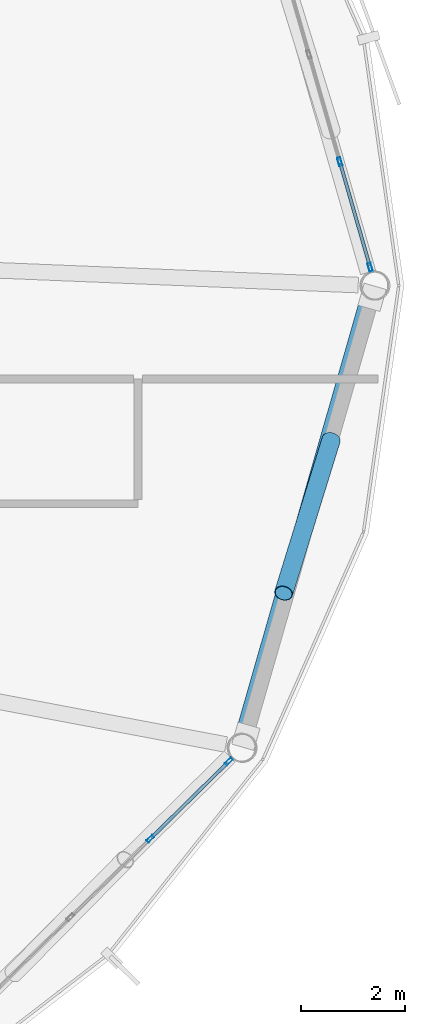
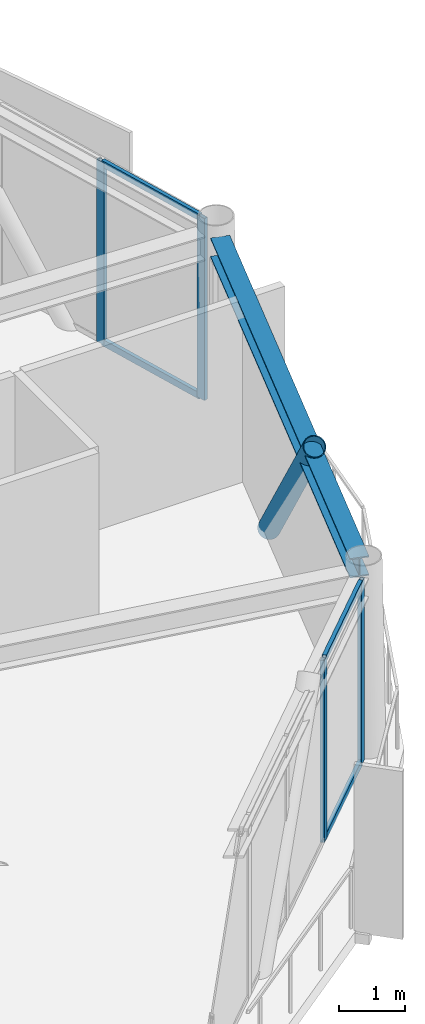
# One storey, part 16 of 27: 9 members, 1 beam, 2 elements without a shape of their own.
"""IFC4 building model written with IfcOpenShell, lengths in metres."""

from ifc_helpers import new_model, si_unit, direction, frame, origin, origin_2d, place, context, subcontext, project, spatial, hollow_rectangle, hollow_circle, i_section, extrude, material, layer, layer_set, material_profile, profile_set, type_object, element, aggregate, save


model = new_model("IFC4")

# Units and contexts
model_context = context("Model", 3, precision=1e-05, world=origin(), true_north=direction((0.0, 1.0)))
body_context = subcontext(model_context, "Body", "Model", "MODEL_VIEW")
ifc_project = project(units=[si_unit("LENGTHUNIT", "METRE"), si_unit("AREAUNIT", "SQUARE_METRE"), si_unit("VOLUMEUNIT", "CUBIC_METRE"), si_unit("PLANEANGLEUNIT", "RADIAN"), si_unit("MASSUNIT", "GRAM", prefix="KILO")], contexts=[model_context])

# Site, building, storey
site_placement = place(None, origin())
site = spatial("IfcSite", under=ifc_project, at=site_placement, CompositionType="ELEMENT")
building_placement = place(site_placement, origin())
building = spatial("IfcBuilding", under=site, at=building_placement, Name="Varnakorn Sky Granary", CompositionType="ELEMENT")
storey_placement = place(building_placement, frame((0.0, 0.0, 263.39990234375)))
storey = spatial("IfcBuildingStorey", under=building, at=storey_placement, Name="L67", CompositionType="ELEMENT", Elevation=263.39990234375)

# Beam
ifc_material_1 = material(Name="Steel S355JR", Category="steel")
ifc_material_profile_1 = material_profile(ifc_material_1, i_section(OverallWidth=0.300048828125, OverallDepth=0.360107421875, WebThickness=0.012451171875, FlangeThickness=0.0224609375, at=origin_2d()), Name="HE 360 B")
ifc_profile_set_1 = profile_set([ifc_material_profile_1], Name="Steel S355JR")
beam_type = type_object("IfcBeamType", Name="BM-SPD-Z5", PredefinedType="SPANDREL", material=ifc_profile_set_1)
beam_placement = place(storey_placement, frame((20.529541015625, -8.6298828125, 3.18017578125), z_axis=(0.275834781425, 0.961205063114, 0.0), x_axis=(-0.961205063114, 0.275834781425, 0.0)))
element("IfcBeam", 1, at=beam_placement, inside=storey, type_object=beam_type, Name="Perimeter Spandrel Ring Beam RB12 L67", PredefinedType="SPANDREL", context=body_context, shape_type="SweptSolid", body=[
    extrude(i_section(OverallWidth=0.300048828125, OverallDepth=0.360107421875, WebThickness=0.012451171875, FlangeThickness=0.0224609375, at=origin_2d()), origin(), (0.0, 0.0, 1.0), 8.7138671875),
])

# Curtain wall, members
ifc_material_2 = material(Name="Anodised Bronze Aluminium Alloy 6063-T6", Category="aluminium")
ifc_layer = layer(ifc_material_2, 0.159912109375, Name="Anodised Bronze Aluminium Alloy 6063-T6")
ifc_layer_set = layer_set([ifc_layer], Name="Anodised Bronze Aluminium Alloy 6063-T6")
curtain_wall_type = type_object("IfcCurtainWallType", Name="CW-OFF-1", PredefinedType="USERDEFINED", material=ifc_layer_set)
curtain_wall_1_placement = place(storey_placement, origin())
curtain_wall_1 = element("IfcCurtainWall", 2, at=curtain_wall_1_placement, inside=storey, type_object=curtain_wall_type, Name="Unitised Curtain Wall CW6 CW-L67-B01", ObjectType="CURTAIN WALL", PredefinedType="USERDEFINED")
ifc_material_profile_2 = material_profile(ifc_material_2, hollow_rectangle(XDim=0.06494140625, YDim=0.159912109375, WallThickness=0.00341796875, at=origin_2d()), Name="ALU MULL 65x160")
ifc_profile_set_2 = profile_set([ifc_material_profile_2], Name="Anodised Bronze Aluminium Alloy 6063-T6")
member_type_1 = type_object("IfcMemberType", Name="CW-OFF-1-MULL", PredefinedType="MULLION", material=ifc_profile_set_2)
member_1_placement = place(storey_placement, frame((22.387451171875, 2.388427734375, 0.0), z_axis=(0.0, 0.0, 1.0), x_axis=(0.961085237133, 0.276251999026, 0.0)))
member_1 = element("IfcMember", 3, at=member_1_placement, type_object=member_type_1, Name="CW6 mullion 4", PredefinedType="MULLION", context=body_context, shape_type="SweptSolid", body=[
    extrude(hollow_rectangle(XDim=0.06494140625, YDim=0.159912109375, WallThickness=0.00341796875, at=origin_2d()), origin(), (0.0, 0.0, 1.0), 3.360107421875),
])
member_2_placement = place(storey_placement, frame((22.97119140625, 0.357421875, 0.0), z_axis=(0.0, 0.0, 1.0), x_axis=(0.961085237133, 0.276251999026, 0.0)))
member_2 = element("IfcMember", 4, at=member_2_placement, type_object=member_type_1, Name="CW6 mullion 5", PredefinedType="MULLION", context=body_context, shape_type="SweptSolid", body=[
    extrude(hollow_rectangle(XDim=0.06494140625, YDim=0.159912109375, WallThickness=0.00341796875, at=origin_2d()), origin(), (0.0, 0.0, 1.0), 3.360107421875),
])

curtain_wall_2_placement = place(storey_placement, origin())
curtain_wall_2 = element("IfcCurtainWall", 5, at=curtain_wall_2_placement, inside=storey, type_object=curtain_wall_type, Name="Unitised Curtain Wall CW6 CW-L67-B11", ObjectType="CURTAIN WALL", PredefinedType="USERDEFINED")
member_3_placement = place(storey_placement, frame((20.250244140625, -9.161865234375, 0.0), z_axis=(0.0, 0.0, 1.0), x_axis=(0.701440030116, -0.71272847856, 0.0)))
member_3 = element("IfcMember", 6, at=member_3_placement, type_object=member_type_1, Name="CW6 mullion 1", PredefinedType="MULLION", context=body_context, shape_type="SweptSolid", body=[
    extrude(hollow_rectangle(XDim=0.06494140625, YDim=0.159912109375, WallThickness=0.00341796875, at=origin_2d()), origin(), (0.0, 0.0, 1.0), 3.360107421875),
])
member_4_placement = place(storey_placement, frame((18.7392578125, -10.649169921875, 0.0), z_axis=(0.0, 0.0, 1.0), x_axis=(0.701440030116, -0.71272847856, 0.0)))
member_4 = element("IfcMember", 7, at=member_4_placement, type_object=member_type_1, Name="CW6 mullion 2", PredefinedType="MULLION", context=body_context, shape_type="SweptSolid", body=[
    extrude(hollow_rectangle(XDim=0.06494140625, YDim=0.159912109375, WallThickness=0.00341796875, at=origin_2d()), origin(), (0.0, 0.0, 1.0), 3.360107421875),
])

# Member
ifc_material_profile_3 = material_profile(ifc_material_2, hollow_rectangle(XDim=0.06494140625, YDim=0.1201171875, WallThickness=0.00341796875, at=origin_2d()), Name="ALU TRAN 65x120")
ifc_profile_set_3 = profile_set([ifc_material_profile_3], Name="Anodised Bronze Aluminium Alloy 6063-T6")
member_type_2 = type_object("IfcMemberType", Name="CW-OFF-1-TRAN", PredefinedType="USERDEFINED", material=ifc_profile_set_3)
member_5_placement = place(storey_placement, frame((22.396484375, 2.357177734375, 0.03271484375), z_axis=(0.2761849375, -0.961104510601, 0.0), x_axis=(0.961104510601, 0.2761849375, 0.0)))
member_5 = element("IfcMember", 8, at=member_5_placement, type_object=member_type_2, Name="CW6 transom 4.1", ObjectType="TRANSOM", PredefinedType="USERDEFINED", context=body_context, shape_type="SweptSolid", body=[
    extrude(hollow_rectangle(XDim=0.06494140625, YDim=0.1201171875, WallThickness=0.00341796875, at=origin_2d()), origin(), (0.0, 0.0, 1.0), 2.048095703125),
])

member_6_placement = place(storey_placement, frame((22.396484375, 2.357177734375, 3.32763671875), z_axis=(0.2761849375, -0.961104510601, 0.0), x_axis=(0.961104510601, 0.2761849375, 0.0)))
member_6 = element("IfcMember", 9, at=member_6_placement, type_object=member_type_2, Name="CW6 transom 4.2", ObjectType="TRANSOM", PredefinedType="USERDEFINED", context=body_context, shape_type="SweptSolid", body=[
    extrude(hollow_rectangle(XDim=0.06494140625, YDim=0.1201171875, WallThickness=0.00341796875, at=origin_2d()), origin(), (0.0, 0.0, 1.0), 2.048095703125),
])

aggregate(curtain_wall_1, [member_1, member_2, member_5, member_6])

member_7_placement = place(storey_placement, frame((20.22705078125, -9.184814453125, 0.03271484375), z_axis=(-0.712727628798, -0.701440893553, 0.0), x_axis=(0.701440893553, -0.712727628798, 0.0)))
member_7 = element("IfcMember", 10, at=member_7_placement, type_object=member_type_2, Name="CW6 transom 1.1", ObjectType="TRANSOM", PredefinedType="USERDEFINED", context=body_context, shape_type="SweptSolid", body=[
    extrude(hollow_rectangle(XDim=0.06494140625, YDim=0.1201171875, WallThickness=0.00341796875, at=origin_2d()), origin(), (0.0, 0.0, 1.0), 2.054931640625),
])

member_8_placement = place(storey_placement, frame((20.22705078125, -9.184814453125, 3.32763671875), z_axis=(-0.712727628798, -0.701440893553, 0.0), x_axis=(0.701440893553, -0.712727628798, 0.0)))
member_8 = element("IfcMember", 11, at=member_8_placement, type_object=member_type_2, Name="CW6 transom 1.2", ObjectType="TRANSOM", PredefinedType="USERDEFINED", context=body_context, shape_type="SweptSolid", body=[
    extrude(hollow_rectangle(XDim=0.06494140625, YDim=0.1201171875, WallThickness=0.00341796875, at=origin_2d()), origin(), (0.0, 0.0, 1.0), 2.054931640625),
])

aggregate(curtain_wall_2, [member_3, member_4, member_7, member_8])

ifc_material_3 = material(Name="Steel S460M", Category="steel")
ifc_material_profile_4 = material_profile(ifc_material_3, hollow_circle(Radius=0.177734375, WallThickness=0.01416015625, at=origin_2d()), Name="CHS 355.6x14")
ifc_profile_set_4 = profile_set([ifc_material_profile_4], Name="Steel S460M")
member_type_3 = type_object("IfcMemberType", Name="MB-DIAG-T5", PredefinedType="BRACE", material=ifc_profile_set_4)
member_9_placement = place(storey_placement, frame((22.22119140625, -2.967041015625, -0.1298828125), z_axis=(-0.192107075732, -0.62066940454, 0.760173902289), x_axis=(0.955288013448, -0.295676869849, 0.0)))
element("IfcMember", 12, at=member_9_placement, inside=storey, type_object=member_type_3, Name="Perimeter CHS Diagrid Brace DG12 L67", PredefinedType="BRACE", context=body_context, shape_type="SweptSolid", body=[
    extrude(hollow_circle(Radius=0.177734375, WallThickness=0.01416015625, at=origin_2d()), origin(), (0.0, 0.0, 1.0), 4.761962890625),
])

save(model, "model.ifc")
